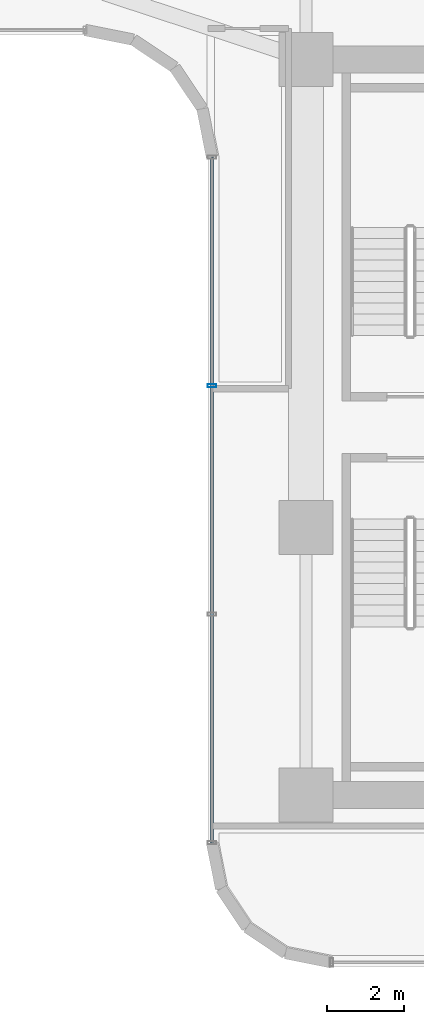
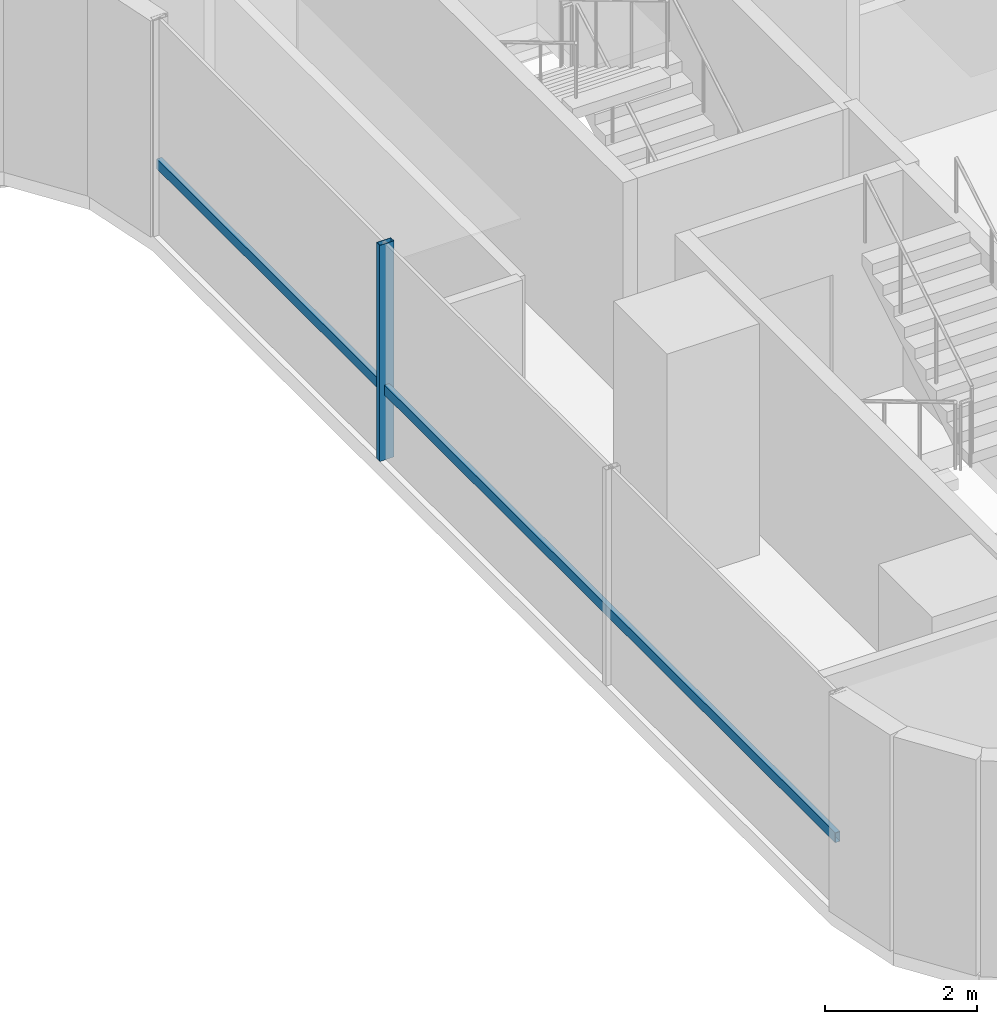
# One storey, part 13 of 38: 2 members, 1 element without a shape of its own.
"""IFC4 building model written with IfcOpenShell, lengths in metres."""

from ifc_helpers import new_model, si_unit, direction, frame, origin, origin_2d, place, context, subcontext, project, spatial, hollow_rectangle, extrude, source, transform, mapped, material, material_profile, profile_set, type_object, element, aggregate, save


model = new_model("IFC4")

# Units and contexts
model_context = context("Model", 3, precision=1e-05, world=origin(), true_north=direction((0.0, 1.0)))
body_context = subcontext(model_context, "Body", "Model", "MODEL_VIEW")
ifc_project = project(units=[si_unit("LENGTHUNIT", "METRE"), si_unit("AREAUNIT", "SQUARE_METRE"), si_unit("VOLUMEUNIT", "CUBIC_METRE"), si_unit("PLANEANGLEUNIT", "RADIAN"), si_unit("MASSUNIT", "GRAM", prefix="KILO")], contexts=[model_context])

# Site, building, storey
site_placement = place(None, origin())
site = spatial("IfcSite", under=ifc_project, at=site_placement, CompositionType="ELEMENT")
building_placement = place(site_placement, origin())
building = spatial("IfcBuilding", under=site, at=building_placement, Name="Valdorenza Pilgrim Sanctuary Tower", CompositionType="ELEMENT")
storey_placement = place(building_placement, frame((0.0, 0.0, 37.10009765625)))
storey = spatial("IfcBuildingStorey", under=building, at=storey_placement, Name="L08", CompositionType="ELEMENT", Elevation=37.10009765625)

# Curtain wall, members
ifc_material_1 = material(Name="Curtain-wall IGU glazing", Category="glass")
curtain_wall_type = type_object("IfcCurtainWallType", Name="CW-SYS-03", PredefinedType="NOTDEFINED", material=ifc_material_1)
curtain_wall_placement = place(storey_placement, origin())
curtain_wall = element("IfcCurtainWall", 1, at=curtain_wall_placement, inside=storey, type_object=curtain_wall_type, Name="L08 Curtain Wall CW-L08-1-31", PredefinedType="NOTDEFINED")
ifc_material_2 = material(Name="Anodised aluminium AW-6060", Category="aluminium")
ifc_material_profile_1 = material_profile(ifc_material_2, hollow_rectangle(XDim=0.0849609375, YDim=0.219970703125, WallThickness=0.0048828125, at=origin_2d()), Name="ALU-M 220x85x5")
ifc_profile_set_1 = profile_set([ifc_material_profile_1], Name="Anodised aluminium AW-6060")
member_type_1 = type_object("IfcMemberType", Name="CW-MUL-03", PredefinedType="MULLION", material=ifc_profile_set_1)
shared_shape_1 = source(origin(), body_context, "Body", "SweptSolid", [
    extrude(hollow_rectangle(XDim=0.0849609375, YDim=0.219970703125, WallThickness=0.0048828125, at=origin_2d()), origin(), (0.0, 0.0, 1.0), 3.4599609375),
])
member_1_placement = place(storey_placement, frame((13.409912109375, 1.077392578125, 0.0), z_axis=(0.0, 0.0, 1.0), x_axis=(0.0, 1.0, 0.0)))
member_1 = element("IfcMember", 2, at=member_1_placement, type_object=member_type_1, Name="CW-L08-1-31 Mullion 3", PredefinedType="MULLION", context=body_context, shape_type="MappedRepresentation", body=[
    mapped(shared_shape_1, transform((0.0, 0.0, 0.0), x_axis=(1.0, 0.0, 0.0), y_axis=(0.0, 1.0, 0.0), z_axis=(0.0, 0.0, 1.0), scale=1.0)),
])
ifc_material_profile_2 = material_profile(ifc_material_2, hollow_rectangle(XDim=0.074951171875, YDim=0.159912109375, WallThickness=0.00390625, at=origin_2d()), Name="ALU-T 160x75x4")
ifc_profile_set_2 = profile_set([ifc_material_profile_2], Name="Anodised aluminium AW-6060")
member_type_2 = type_object("IfcMemberType", Name="CW-TRN-03", PredefinedType="USERDEFINED", material=ifc_profile_set_2)
shared_shape_2 = source(origin(), body_context, "Body", "SweptSolid", [
    extrude(hollow_rectangle(XDim=0.074951171875, YDim=0.159912109375, WallThickness=0.00390625, at=origin_2d()), origin(), (0.0, 0.0, 1.0), 17.800048828125),
])
member_2_placement = place(storey_placement, frame((13.409912109375, -10.789306640625, 1.119873046875), z_axis=(0.0, 1.0, 0.0), x_axis=(-1.0, 0.0, 0.0)))
member_2 = element("IfcMember", 3, at=member_2_placement, type_object=member_type_2, Name="CW-L08-1-31 Transom 1", ObjectType="TRANSOM", PredefinedType="USERDEFINED", context=body_context, shape_type="MappedRepresentation", body=[
    mapped(shared_shape_2, transform((0.0, 0.0, 0.0), x_axis=(1.0, 0.0, 0.0), y_axis=(0.0, 1.0, 0.0), z_axis=(0.0, 0.0, 1.0), scale=1.0)),
])
aggregate(curtain_wall, [member_1, member_2])

save(model, "model.ifc")
